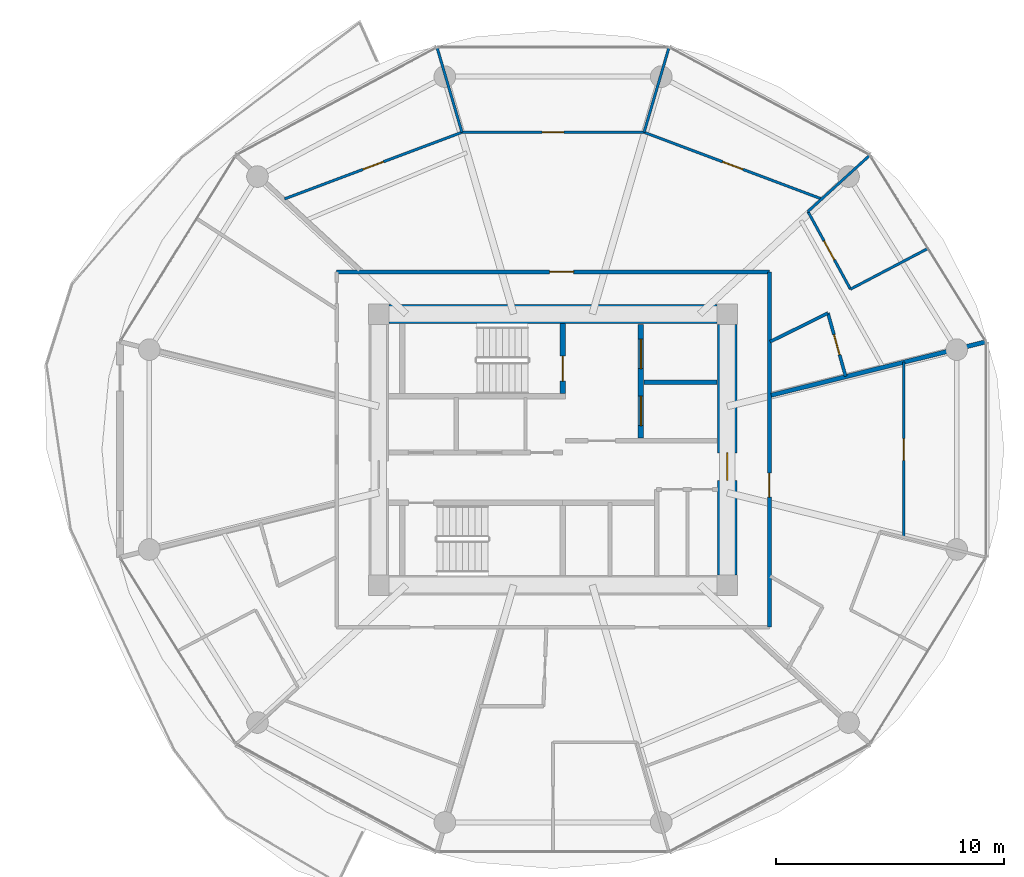
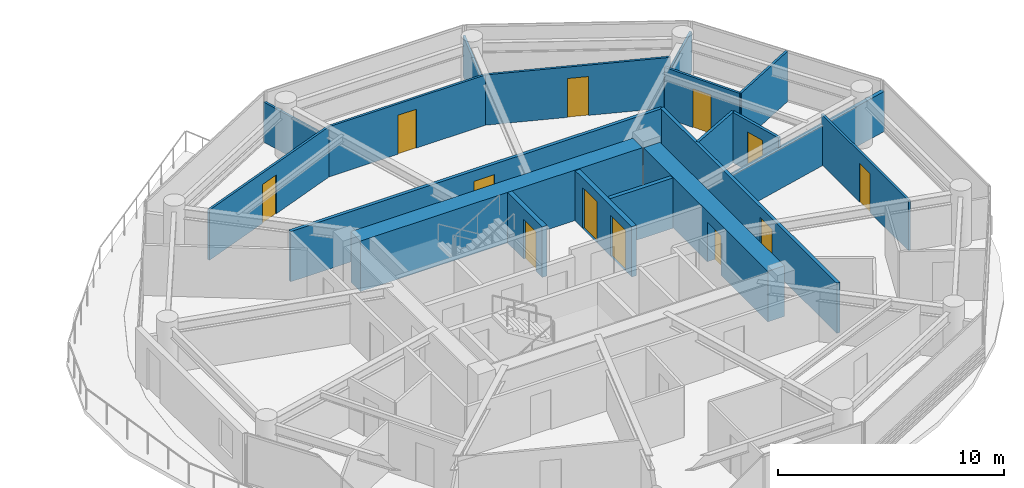
# One storey, part 20 of 26: 19 walls, 12 doors, 12 openings.
"""IFC4 building model written with IfcOpenShell, lengths in metres."""

from ifc_helpers import new_model, si_unit, direction, frame, frame_2d, origin, place, context, subcontext, project, spatial, rectangle, extrude, source, transform, mapped, material, layer, layer_set, type_object, type_shapes, element, fill, save


model = new_model("IFC4")

# Units and contexts
model_context = context("Model", 3, precision=1e-05, world=origin(), true_north=direction((0.0, 1.0)))
body_context = subcontext(model_context, "Body", "Model", "MODEL_VIEW")
ifc_project = project(units=[si_unit("LENGTHUNIT", "METRE"), si_unit("AREAUNIT", "SQUARE_METRE"), si_unit("VOLUMEUNIT", "CUBIC_METRE"), si_unit("PLANEANGLEUNIT", "RADIAN"), si_unit("MASSUNIT", "GRAM", prefix="KILO")], contexts=[model_context])

# Site, building, storey
site_placement = place(None, origin())
site = spatial("IfcSite", under=ifc_project, at=site_placement, CompositionType="ELEMENT")
building_placement = place(site_placement, origin())
building = spatial("IfcBuilding", under=site, at=building_placement, Name="Norrkilde Senior Care Towers", CompositionType="ELEMENT")
storey_placement = place(building_placement, frame((0.0, 0.0, 70.39990234375)))
storey = spatial("IfcBuildingStorey", under=building, at=storey_placement, Name="L21", CompositionType="ELEMENT", Elevation=70.39990234375)

# Wall
ifc_material_1 = material(Name="Concrete C60/75", Category="concrete")
ifc_layer_1 = layer(ifc_material_1, 0.85009765625)
ifc_layer_set_1 = layer_set([ifc_layer_1], Name="Concrete C60/75")
wall_type_1 = type_object("IfcWallType", Name="Core Shear Wall Z1 850", PredefinedType="SHEAR", material=ifc_layer_set_1)
shared_shape_1 = source(origin(), body_context, "Body", "SweptSolid", [
    extrude(rectangle(XDim=14.39990234375, YDim=0.85009765625, at=frame_2d((7.199951171875, 0.0))), origin(), (0.0, 0.0, 1.0), 2.72998046875),
])
wall_1_placement = place(storey_placement, frame((20.800048828125, 5.949951171875, 0.0), z_axis=(0.0, 0.0, 1.0), x_axis=(1.0, 0.0, 0.0)))
element("IfcWall", 1, at=wall_1_placement, inside=storey, type_object=wall_type_1, Name="L21 Core E North Shear Wall", PredefinedType="SHEAR", context=body_context, shape_type="MappedRepresentation", body=[
    mapped(shared_shape_1, transform((0.0, 0.0, 0.0), x_axis=(1.0, 0.0, 0.0), y_axis=(0.0, 1.0, 0.0), z_axis=(0.0, 0.0, 1.0), scale=1.0)),
])

# Wall, opening, door
shared_shape_2 = source(origin(), body_context, "Body", "SweptSolid", [
    extrude(rectangle(XDim=11.0, YDim=0.85009765625, at=frame_2d((5.5, 0.0))), origin(), (0.0, 0.0, 1.0), 2.72998046875),
])
type_shapes(wall_type_1, [shared_shape_1, shared_shape_2])
wall_2_placement = place(storey_placement, frame((35.64990234375, 5.5, 0.0), z_axis=(0.0, 0.0, 1.0), x_axis=(0.0, -1.0, 0.0)))
wall_2 = element("IfcWall", 2, at=wall_2_placement, inside=storey, type_object=wall_type_1, Name="L21 Core E East Shear Wall", PredefinedType="SHEAR", context=body_context, shape_type="MappedRepresentation", body=[
    mapped(shared_shape_2, transform((0.0, 0.0, 0.0), x_axis=(1.0, 0.0, 0.0), y_axis=(0.0, 1.0, 0.0), z_axis=(0.0, 0.0, 1.0), scale=1.0)),
])
opening_1_placement = place(wall_2_placement, frame((5.64990234375, 0.0, 0.0)))
opening_1 = element("IfcOpeningElement", 3, at=opening_1_placement, cuts=wall_2, Name="Opening D-04", PredefinedType="OPENING", context=body_context, shape_type="SweptSolid", body=[
    extrude(rectangle(XDim=1.199951171875, YDim=2.14990234375, at=frame_2d((0.60009765625, 1.074951171875))), frame((0.0, 0.43505859375, 0.0), z_axis=(0.0, -1.0, 0.0), x_axis=(1.0, 0.0, 0.0)), (0.0, 0.0, 1.0), 0.8701171875),
])
ifc_material_2 = material(Name="Galvanised Painted Steel", Category="steel")
door_type_1 = type_object("IfcDoorType", Name="Firefighting Lobby Fire Door 1200x2150", OperationType="NOTDEFINED", PredefinedType="DOOR", material=ifc_material_2)
shared_shape_3 = source(origin(), body_context, "Body", "SweptSolid", [
    extrude(rectangle(XDim=1.199951171875, YDim=2.14990234375, at=frame_2d((0.60009765625, 1.074951171875))), frame((0.0, 0.02490234375, 0.0), z_axis=(0.0, -1.0, 0.0), x_axis=(1.0, 0.0, 0.0)), (0.0, 0.0, 1.0), 0.050048828125),
])
type_shapes(door_type_1, [shared_shape_3])
door_1_placement = place(opening_1_placement, frame((1.199951171875, 0.0, 0.0), z_axis=(0.0, 0.0, 1.0), x_axis=(-1.0, 0.0, 0.0)))
door_1 = element("IfcDoor", 4, at=door_1_placement, inside=storey, type_object=door_type_1, Name="L21 Core E East Portal Door", OperationType="SINGLE_SWING_RIGHT", OverallHeight=2.14990234375, OverallWidth=1.199951171875, PredefinedType="DOOR", context=body_context, shape_type="MappedRepresentation", body=[
    mapped(shared_shape_3, transform((0.0, 0.0, 0.0), x_axis=(1.0, 0.0, 0.0), y_axis=(0.0, 1.0, 0.0), z_axis=(0.0, 0.0, 1.0), scale=1.0)),
])
fill(opening_1, door_1)

ifc_material_3 = material(Name="Concrete C45/55", Category="concrete")
ifc_layer_2 = layer(ifc_material_3, 0.239990234375)
ifc_layer_set_2 = layer_set([ifc_layer_2], Name="Concrete C45/55")
wall_type_2 = type_object("IfcWallType", Name="Shaft and Stair Enclosure Wall 240", PredefinedType="PARTITIONING", material=ifc_layer_set_2)
shared_shape_4 = source(origin(), body_context, "Body", "SweptSolid", [
    extrude(rectangle(XDim=3.074951171875, YDim=0.239990234375, at=frame_2d((1.53759765625, 0.0))), origin(), (0.0, 0.0, 1.0), 2.72998046875),
])
type_shapes(wall_type_2, [shared_shape_4])
wall_3_placement = place(storey_placement, frame((28.419921875, 2.449951171875, 0.0), z_axis=(0.0, 0.0, 1.0), x_axis=(0.0, 1.0, 0.0)))
wall_3 = element("IfcWall", 5, at=wall_3_placement, inside=storey, type_object=wall_type_2, Name="WL-INT-L21-E-ST1E", PredefinedType="PARTITIONING", context=body_context, shape_type="MappedRepresentation", body=[
    mapped(shared_shape_4, transform((0.0, 0.0, 0.0), x_axis=(1.0, 0.0, 0.0), y_axis=(0.0, 1.0, 0.0), z_axis=(0.0, 0.0, 1.0), scale=1.0)),
])
opening_2_placement = place(wall_3_placement, frame((0.550048828125, 0.0, 0.0)))
opening_2 = element("IfcOpeningElement", 6, at=opening_2_placement, cuts=wall_3, Name="Opening D-03", PredefinedType="OPENING", context=body_context, shape_type="SweptSolid", body=[
    extrude(rectangle(XDim=1.10009765625, YDim=2.14990234375, at=frame_2d((0.550048828125, 1.074951171875))), frame((0.0, 0.1298828125, 0.0), z_axis=(0.0, -1.0, 0.0), x_axis=(1.0, 0.0, 0.0)), (0.0, 0.0, 1.0), 0.260009765625),
])
door_type_2 = type_object("IfcDoorType", Name="Stairwell Protected Fire Door 1100x2150", OperationType="NOTDEFINED", PredefinedType="DOOR", material=ifc_material_2)
shared_shape_5 = source(origin(), body_context, "Body", "SweptSolid", [
    extrude(rectangle(XDim=1.10009765625, YDim=2.14990234375, at=frame_2d((0.550048828125, 1.074951171875))), frame((0.0, 0.02490234375, 0.0), z_axis=(0.0, -1.0, 0.0), x_axis=(1.0, 0.0, 0.0)), (0.0, 0.0, 1.0), 0.050048828125),
])
type_shapes(door_type_2, [shared_shape_5])
door_2_placement = place(opening_2_placement, origin())
door_2 = element("IfcDoor", 7, at=door_2_placement, inside=storey, type_object=door_type_2, Name="L21 Stair E1 Fire Door", OperationType="SINGLE_SWING_LEFT", OverallHeight=2.14990234375, OverallWidth=1.10009765625, PredefinedType="DOOR", context=body_context, shape_type="MappedRepresentation", body=[
    mapped(shared_shape_5, transform((0.0, 0.0, 0.0), x_axis=(1.0, 0.0, 0.0), y_axis=(0.0, 1.0, 0.0), z_axis=(0.0, 0.0, 1.0), scale=1.0)),
])
fill(opening_2, door_2)

# Wall, openings, doors
ifc_layer_3 = layer(ifc_material_3, 0.239990234375)
ifc_layer_set_3 = layer_set([ifc_layer_3], Name="Concrete C45/55")
wall_type_3 = type_object("IfcWallType", Name="Lift and Plant Rated Enclosure Partition 240", PredefinedType="PARTITIONING", material=ifc_layer_set_3)
shared_shape_6 = source(origin(), body_context, "Body", "SweptSolid", [
    extrude(rectangle(XDim=5.0, YDim=0.239990234375, at=frame_2d((2.5, 0.0))), origin(), (0.0, 0.0, 1.0), 2.715087890625),
])
type_shapes(wall_type_3, [shared_shape_6])
wall_4_placement = place(storey_placement, frame((31.860107421875, 0.5, 0.0), z_axis=(0.0, 0.0, 1.0), x_axis=(0.0, 1.0, 0.0)))
wall_4 = element("IfcWall", 8, at=wall_4_placement, inside=storey, type_object=wall_type_3, Name="WL-INT-L21-E-FFLE", PredefinedType="PARTITIONING", context=body_context, shape_type="MappedRepresentation", body=[
    mapped(shared_shape_6, transform((0.0, 0.0, 0.0), x_axis=(1.0, 0.0, 0.0), y_axis=(0.0, 1.0, 0.0), z_axis=(0.0, 0.0, 1.0), scale=1.0)),
])
opening_3_placement = place(wall_4_placement, frame((3.050048828125, 0.0, 0.0)))
opening_3 = element("IfcOpeningElement", 9, at=opening_3_placement, cuts=wall_4, Name="Opening LD-02", PredefinedType="OPENING", context=body_context, shape_type="SweptSolid", body=[
    extrude(rectangle(XDim=1.300048828125, YDim=2.199951171875, at=frame_2d((0.64990234375, 1.10009765625))), frame((0.0, 0.1298828125, 0.0), z_axis=(0.0, -1.0, 0.0), x_axis=(1.0, 0.0, 0.0)), (0.0, 0.0, 1.0), 0.260009765625),
])
opening_4_placement = place(wall_4_placement, frame((0.550048828125, 0.0, 0.0)))
opening_4 = element("IfcOpeningElement", 10, at=opening_4_placement, cuts=wall_4, Name="Opening LD-02", PredefinedType="OPENING", context=body_context, shape_type="SweptSolid", body=[
    extrude(rectangle(XDim=1.300048828125, YDim=2.199951171875, at=frame_2d((0.64990234375, 1.10009765625))), frame((0.0, 0.1298828125, 0.0), z_axis=(0.0, -1.0, 0.0), x_axis=(1.0, 0.0, 0.0)), (0.0, 0.0, 1.0), 0.260009765625),
])
ifc_material_4 = material(Name="Stainless Steel", Category="steel")
door_type_3 = type_object("IfcDoorType", Name="Stretcher and FFL Landing Sliding Door 1300x2200", OperationType="NOTDEFINED", PredefinedType="DOOR", material=ifc_material_4)
shared_shape_7 = source(origin(), body_context, "Body", "SweptSolid", [
    extrude(rectangle(XDim=1.300048828125, YDim=2.199951171875, at=frame_2d((0.64990234375, 1.10009765625))), frame((0.0, 0.02490234375, 0.0), z_axis=(0.0, -1.0, 0.0), x_axis=(1.0, 0.0, 0.0)), (0.0, 0.0, 1.0), 0.050048828125),
])
type_shapes(door_type_3, [shared_shape_7])
door_3_placement = place(opening_3_placement, origin())
door_3 = element("IfcDoor", 11, at=door_3_placement, inside=storey, type_object=door_type_3, Name="L21 Firefighting Lift E1 Landing Door", OperationType="SLIDING_TO_LEFT", OverallHeight=2.199951171875, OverallWidth=1.300048828125, PredefinedType="DOOR", context=body_context, shape_type="MappedRepresentation", body=[
    mapped(shared_shape_7, transform((0.0, 0.0, 0.0), x_axis=(1.0, 0.0, 0.0), y_axis=(0.0, 1.0, 0.0), z_axis=(0.0, 0.0, 1.0), scale=1.0)),
])
fill(opening_3, door_3)
door_4_placement = place(opening_4_placement, origin())
door_4 = element("IfcDoor", 12, at=door_4_placement, inside=storey, type_object=door_type_3, Name="L21 Stretcher Lift E1 Landing Door", OperationType="SLIDING_TO_RIGHT", OverallHeight=2.199951171875, OverallWidth=1.300048828125, PredefinedType="DOOR", context=body_context, shape_type="MappedRepresentation", body=[
    mapped(shared_shape_7, transform((0.0, 0.0, 0.0), x_axis=(1.0, 0.0, 0.0), y_axis=(0.0, 1.0, 0.0), z_axis=(0.0, 0.0, 1.0), scale=1.0)),
])
fill(opening_4, door_4)

# Wall
ifc_layer_4 = layer(ifc_material_3, 0.199951171875)
ifc_layer_set_4 = layer_set([ifc_layer_4], Name="Concrete C45/55")
wall_type_4 = type_object("IfcWallType", Name="Shaft Division and Plant Partition 200", PredefinedType="PARTITIONING", material=ifc_layer_set_4)
shared_shape_8 = source(origin(), body_context, "Body", "SweptSolid", [
    extrude(rectangle(XDim=3.199951171875, YDim=0.199951171875, at=frame_2d((1.60009765625, 0.0))), origin(), (0.0, 0.0, 1.0), 2.715087890625),
])
type_shapes(wall_type_4, [shared_shape_8])
wall_5_placement = place(storey_placement, frame((32.0, 2.949951171875, 0.0), z_axis=(0.0, 0.0, 1.0), x_axis=(1.0, 0.0, 0.0)))
element("IfcWall", 13, at=wall_5_placement, inside=storey, type_object=wall_type_4, Name="WL-INT-L21-E-FFLDIV", PredefinedType="PARTITIONING", context=body_context, shape_type="MappedRepresentation", body=[
    mapped(shared_shape_8, transform((0.0, 0.0, 0.0), x_axis=(1.0, 0.0, 0.0), y_axis=(0.0, 1.0, 0.0), z_axis=(0.0, 0.0, 1.0), scale=1.0)),
])

# Wall, opening, door
ifc_material_5 = material(Name="Gypsum Acoustic Board")
ifc_layer_5 = layer(ifc_material_5, 0.1650390625)
ifc_layer_set_5 = layer_set([ifc_layer_5], Name="Gypsum Acoustic Board")
wall_type_5 = type_object("IfcWallType", Name="Corridor Rated Partition 165", PredefinedType="PARTITIONING", material=ifc_layer_set_5)
shared_shape_9 = source(origin(), body_context, "Body", "SweptSolid", [
    extrude(rectangle(XDim=19.0, YDim=0.1650390625, at=frame_2d((9.5, 0.0))), origin(), (0.0, 0.0, 1.0), 2.715087890625),
])
wall_6_placement = place(storey_placement, frame((18.5, 7.800048828125, 0.0), z_axis=(0.0, 0.0, 1.0), x_axis=(1.0, 0.0, 0.0)))
wall_6 = element("IfcWall", 14, at=wall_6_placement, inside=storey, type_object=wall_type_5, Name="WL-INT-L21-E-CRW-N-0", PredefinedType="PARTITIONING", context=body_context, shape_type="MappedRepresentation", body=[
    mapped(shared_shape_9, transform((0.0, 0.0, 0.0), x_axis=(1.0, 0.0, 0.0), y_axis=(0.0, 1.0, 0.0), z_axis=(0.0, 0.0, 1.0), scale=1.0)),
])
opening_5_placement = place(wall_6_placement, frame((9.350341796875, 0.0, 0.0)))
opening_5 = element("IfcOpeningElement", 15, at=opening_5_placement, cuts=wall_6, Name="Opening D-06", PredefinedType="OPENING", context=body_context, shape_type="SweptSolid", body=[
    extrude(rectangle(XDim=1.050048828125, YDim=2.14990234375, at=frame_2d((0.52490234375, 1.074951171875))), frame((0.0, 0.092529296875, 0.0), z_axis=(0.0, -1.0, 0.0), x_axis=(1.0, 0.0, 0.0)), (0.0, 0.0, 1.0), 0.18505859375),
])
ifc_material_6 = material(Name="Nordic Ash Timber", Category="wood")
door_type_4 = type_object("IfcDoorType", Name="Apartment Entrance Fire Door 1050x2150", OperationType="NOTDEFINED", PredefinedType="DOOR", material=ifc_material_6)
shared_shape_10 = source(origin(), body_context, "Body", "SweptSolid", [
    extrude(rectangle(XDim=1.050048828125, YDim=2.14990234375, at=frame_2d((0.52490234375, 1.074951171875))), frame((0.0, 0.02490234375, 0.0), z_axis=(0.0, -1.0, 0.0), x_axis=(1.0, 0.0, 0.0)), (0.0, 0.0, 1.0), 0.050048828125),
])
type_shapes(door_type_4, [shared_shape_10])
door_5_placement = place(opening_5_placement, frame((1.050048828125, 0.0, 0.0), z_axis=(0.0, 0.0, 1.0), x_axis=(-1.0, 0.0, 0.0)))
door_5 = element("IfcDoor", 16, at=door_5_placement, inside=storey, type_object=door_type_4, Name="Apartment 21D Entrance Door", OperationType="SINGLE_SWING_LEFT", OverallHeight=2.14990234375, OverallWidth=1.050048828125, PredefinedType="DOOR", context=body_context, shape_type="MappedRepresentation", body=[
    mapped(shared_shape_10, transform((0.0, 0.0, 0.0), x_axis=(1.0, 0.0, 0.0), y_axis=(0.0, 1.0, 0.0), z_axis=(0.0, 0.0, 1.0), scale=1.0)),
])
fill(opening_5, door_5)

shared_shape_11 = source(origin(), body_context, "Body", "SweptSolid", [
    extrude(rectangle(XDim=15.60009765625, YDim=0.1650390625, at=frame_2d((7.800048828125, 0.0))), origin(), (0.0, 0.0, 1.0), 2.715087890625),
])
type_shapes(wall_type_5, [shared_shape_9, shared_shape_11])
wall_7_placement = place(storey_placement, frame((37.5, 7.800048828125, 0.0), z_axis=(0.0, 0.0, 1.0), x_axis=(0.0, -1.0, 0.0)))
wall_7 = element("IfcWall", 17, at=wall_7_placement, inside=storey, type_object=wall_type_5, Name="WL-INT-L21-E-CRW-E-0", PredefinedType="PARTITIONING", context=body_context, shape_type="MappedRepresentation", body=[
    mapped(shared_shape_11, transform((0.0, 0.0, 0.0), x_axis=(1.0, 0.0, 0.0), y_axis=(0.0, 1.0, 0.0), z_axis=(0.0, 0.0, 1.0), scale=1.0)),
])
opening_6_placement = place(wall_7_placement, frame((8.834716796875, 0.0, 0.0)))
opening_6 = element("IfcOpeningElement", 18, at=opening_6_placement, cuts=wall_7, Name="Opening D-06", PredefinedType="OPENING", context=body_context, shape_type="SweptSolid", body=[
    extrude(rectangle(XDim=1.050048828125, YDim=2.14990234375, at=frame_2d((0.52490234375, 1.074951171875))), frame((0.0, 0.092529296875, 0.0), z_axis=(0.0, -1.0, 0.0), x_axis=(1.0, 0.0, 0.0)), (0.0, 0.0, 1.0), 0.18505859375),
])
door_6_placement = place(opening_6_placement, frame((1.050048828125, 0.0, 0.0), z_axis=(0.0, 0.0, 1.0), x_axis=(-1.0, 0.0, 0.0)))
door_6 = element("IfcDoor", 19, at=door_6_placement, inside=storey, type_object=door_type_4, Name="Apartment 21C Entrance Door", OperationType="SINGLE_SWING_LEFT", OverallHeight=2.14990234375, OverallWidth=1.050048828125, PredefinedType="DOOR", context=body_context, shape_type="MappedRepresentation", body=[
    mapped(shared_shape_10, transform((0.0, 0.0, 0.0), x_axis=(1.0, 0.0, 0.0), y_axis=(0.0, 1.0, 0.0), z_axis=(0.0, 0.0, 1.0), scale=1.0)),
])
fill(opening_6, door_6)

# Wall
ifc_layer_6 = layer(ifc_material_5, 0.18994140625)
ifc_layer_set_6 = layer_set([ifc_layer_6], Name="Gypsum Acoustic Board")
wall_type_6 = type_object("IfcWallType", Name="Unit Demising Acoustic Wall 190", PredefinedType="PARTITIONING", material=ifc_layer_set_6)
shared_shape_12 = source(origin(), body_context, "Body", "SweptSolid", [
    extrude(rectangle(XDim=9.737060546875, YDim=0.18994140625, at=frame_2d((4.86865234375, 0.0))), origin(), (0.0, 0.0, 1.0), 2.1650390625),
])
type_shapes(wall_type_6, [shared_shape_12])
wall_8_placement = place(storey_placement, frame((37.580078125, 2.384521484375, 0.0), z_axis=(0.0, 0.0, 1.0), x_axis=(0.970392716238, 0.241532557375, 0.0)))
element("IfcWall", 20, at=wall_8_placement, inside=storey, type_object=wall_type_6, Name="WL-INT-L21-E-DEM-00-0", PredefinedType="PARTITIONING", context=body_context, shape_type="MappedRepresentation", body=[
    mapped(shared_shape_12, transform((0.0, 0.0, 0.0), x_axis=(1.0, 0.0, 0.0), y_axis=(0.0, 1.0, 0.0), z_axis=(0.0, 0.0, 1.0), scale=1.0)),
])

# Wall, opening, door
ifc_layer_7 = layer(ifc_material_5, 0.114990234375)
ifc_layer_set_7 = layer_set([ifc_layer_7], Name="Gypsum Acoustic Board")
wall_type_7 = type_object("IfcWallType", Name="Internal Room Partition 115", PredefinedType="PARTITIONING", material=ifc_layer_set_7)
shared_shape_13 = source(origin(), body_context, "Body", "SweptSolid", [
    extrude(rectangle(XDim=8.31982421875, YDim=0.114990234375, at=frame_2d((4.159912109375, 0.0))), origin(), (0.0, 0.0, 1.0), 2.715087890625),
])
wall_9_placement = place(storey_placement, frame((39.7861328125, 11.005615234375, 0.0), z_axis=(0.0, 0.0, 1.0), x_axis=(-0.936180763098, 0.351518959382, 0.0)))
wall_9 = element("IfcWall", 21, at=wall_9_placement, inside=storey, type_object=wall_type_7, Name="WL-INT-L21-E-UBC-00-1", PredefinedType="PARTITIONING", context=body_context, shape_type="MappedRepresentation", body=[
    mapped(shared_shape_13, transform((0.0, 0.0, 0.0), x_axis=(1.0, 0.0, 0.0), y_axis=(0.0, 1.0, 0.0), z_axis=(0.0, 0.0, 1.0), scale=1.0)),
])
opening_7_placement = place(wall_9_placement, frame((3.684814453125, 0.0, 0.0)))
opening_7 = element("IfcOpeningElement", 22, at=opening_7_placement, cuts=wall_9, Name="Opening D-07", PredefinedType="OPENING", context=body_context, shape_type="SweptSolid", body=[
    extrude(rectangle(XDim=0.949951171875, YDim=2.10009765625, at=frame_2d((0.47509765625, 1.050048828125))), frame((0.0, 0.0673828125, 0.0), z_axis=(0.0, -1.0, 0.0), x_axis=(1.0, 0.0, 0.0)), (0.0, 0.0, 1.0), 0.135009765625),
])
door_type_5 = type_object("IfcDoorType", Name="Internal Suite Bedroom Door 950x2100", OperationType="NOTDEFINED", PredefinedType="DOOR", material=ifc_material_6)
shared_shape_14 = source(origin(), body_context, "Body", "SweptSolid", [
    extrude(rectangle(XDim=0.949951171875, YDim=2.10009765625, at=frame_2d((0.47509765625, 1.050048828125))), frame((0.0, 0.02490234375, 0.0), z_axis=(0.0, -1.0, 0.0), x_axis=(1.0, 0.0, 0.0)), (0.0, 0.0, 1.0), 0.050048828125),
])
type_shapes(door_type_5, [shared_shape_14])
door_7_placement = place(opening_7_placement, origin())
door_7 = element("IfcDoor", 23, at=door_7_placement, inside=storey, type_object=door_type_5, Name="Apartment 21D Bedroom 1 Door", OperationType="SINGLE_SWING_RIGHT", OverallHeight=2.10009765625, OverallWidth=0.949951171875, PredefinedType="DOOR", context=body_context, shape_type="MappedRepresentation", body=[
    mapped(shared_shape_14, transform((0.0, 0.0, 0.0), x_axis=(1.0, 0.0, 0.0), y_axis=(0.0, 1.0, 0.0), z_axis=(0.0, 0.0, 1.0), scale=1.0)),
])
fill(opening_7, door_7)

wall_10_placement = place(storey_placement, frame((24.002685546875, 13.93017578125, 0.0), z_axis=(0.0, 0.0, 1.0), x_axis=(-0.936180763098, -0.351518959382, 0.0)))
wall_10 = element("IfcWall", 24, at=wall_10_placement, inside=storey, type_object=wall_type_7, Name="WL-INT-L21-E-UBC-00-3", PredefinedType="PARTITIONING", context=body_context, shape_type="MappedRepresentation", body=[
    mapped(shared_shape_13, transform((0.0, 0.0, 0.0), x_axis=(1.0, 0.0, 0.0), y_axis=(0.0, 1.0, 0.0), z_axis=(0.0, 0.0, 1.0), scale=1.0)),
])
opening_8_placement = place(wall_10_placement, frame((3.684814453125, 0.0, 0.0)))
opening_8 = element("IfcOpeningElement", 25, at=opening_8_placement, cuts=wall_10, Name="Opening D-07", PredefinedType="OPENING", context=body_context, shape_type="SweptSolid", body=[
    extrude(rectangle(XDim=0.949951171875, YDim=2.10009765625, at=frame_2d((0.47509765625, 1.050048828125))), frame((0.0, 0.0673828125, 0.0), z_axis=(0.0, -1.0, 0.0), x_axis=(1.0, 0.0, 0.0)), (0.0, 0.0, 1.0), 0.135009765625),
])
door_8_placement = place(opening_8_placement, origin())
door_8 = element("IfcDoor", 26, at=door_8_placement, inside=storey, type_object=door_type_5, Name="Apartment 21D Bedroom 3 Door", OperationType="SINGLE_SWING_RIGHT", OverallHeight=2.10009765625, OverallWidth=0.949951171875, PredefinedType="DOOR", context=body_context, shape_type="MappedRepresentation", body=[
    mapped(shared_shape_14, transform((0.0, 0.0, 0.0), x_axis=(1.0, 0.0, 0.0), y_axis=(0.0, 1.0, 0.0), z_axis=(0.0, 0.0, 1.0), scale=1.0)),
])
fill(opening_8, door_8)

# Walls
shared_shape_15 = source(origin(), body_context, "Body", "SweptSolid", [
    extrude(rectangle(XDim=3.712890625, YDim=0.114990234375, at=frame_2d((1.8564453125, 0.0))), origin(), (0.0, 0.0, 1.0), 2.1650390625),
])
wall_11_placement = place(storey_placement, frame((39.182861328125, 10.442138671875, 0.0), z_axis=(0.0, 0.0, 1.0), x_axis=(0.739877587881, 0.67274152165, 0.0)))
element("IfcWall", 27, at=wall_11_placement, inside=storey, type_object=wall_type_7, Name="WL-INT-L21-E-UBR-00-1", PredefinedType="PARTITIONING", context=body_context, shape_type="MappedRepresentation", body=[
    mapped(shared_shape_15, transform((0.0, 0.0, 0.0), x_axis=(1.0, 0.0, 0.0), y_axis=(0.0, 1.0, 0.0), z_axis=(0.0, 0.0, 1.0), scale=1.0)),
])
ifc_layer_8 = layer(ifc_material_5, 0.139892578125)
ifc_layer_set_8 = layer_set([ifc_layer_8], Name="Gypsum Acoustic Board")
wall_type_8 = type_object("IfcWallType", Name="En-suite Wet Room Wall 140", PredefinedType="PARTITIONING", material=ifc_layer_set_8)
shared_shape_16 = source(origin(), body_context, "Body", "SweptSolid", [
    extrude(rectangle(XDim=2.83447265625, YDim=0.139892578125, at=frame_2d((1.417236328125, 0.0))), origin(), (0.0, 0.0, 1.0), 2.715087890625),
])
wall_12_placement = place(storey_placement, frame((37.530029296875, 4.731689453125, 0.0), z_axis=(0.0, 0.0, 1.0), x_axis=(0.895681174462, 0.444696788513, 0.0)))
element("IfcWall", 28, at=wall_12_placement, inside=storey, type_object=wall_type_8, Name="WL-INT-L21-E-UBTS-00", PredefinedType="PARTITIONING", context=body_context, shape_type="MappedRepresentation", body=[
    mapped(shared_shape_16, transform((0.0, 0.0, 0.0), x_axis=(1.0, 0.0, 0.0), y_axis=(0.0, 1.0, 0.0), z_axis=(0.0, 0.0, 1.0), scale=1.0)),
])

# Wall, opening, door
shared_shape_17 = source(origin(), body_context, "Body", "SweptSolid", [
    extrude(rectangle(XDim=2.884765625, YDim=0.139892578125, at=frame_2d((1.4423828125, 0.0))), origin(), (0.0, 0.0, 1.0), 2.715087890625),
])
type_shapes(wall_type_8, [shared_shape_16, shared_shape_17])
wall_13_placement = place(storey_placement, frame((40.06884765625, 5.9921875, 0.0), z_axis=(0.0, 0.0, 1.0), x_axis=(0.269799431837, -0.962916541856, 0.0)))
wall_13 = element("IfcWall", 29, at=wall_13_placement, inside=storey, type_object=wall_type_8, Name="WL-INT-L21-E-UBTF-00", PredefinedType="PARTITIONING", context=body_context, shape_type="MappedRepresentation", body=[
    mapped(shared_shape_17, transform((0.0, 0.0, 0.0), x_axis=(1.0, 0.0, 0.0), y_axis=(0.0, 1.0, 0.0), z_axis=(0.0, 0.0, 1.0), scale=1.0)),
])
opening_9_placement = place(wall_13_placement, frame((0.982421875, 0.0, 0.0)))
opening_9 = element("IfcOpeningElement", 30, at=opening_9_placement, cuts=wall_13, Name="Opening D-08", PredefinedType="OPENING", context=body_context, shape_type="SweptSolid", body=[
    extrude(rectangle(XDim=0.919921875, YDim=2.10009765625, at=frame_2d((0.4599609375, 1.050048828125))), frame((0.0, 0.079833984375, 0.0), z_axis=(0.0, -1.0, 0.0), x_axis=(1.0, 0.0, 0.0)), (0.0, 0.0, 1.0), 0.159912109375),
])
door_type_6 = type_object("IfcDoorType", Name="Accessible Wet Room Door 920x2100", OperationType="NOTDEFINED", PredefinedType="DOOR", material=ifc_material_6)
shared_shape_18 = source(origin(), body_context, "Body", "SweptSolid", [
    extrude(rectangle(XDim=0.919921875, YDim=2.10009765625, at=frame_2d((0.4599609375, 1.050048828125))), frame((0.0, 0.02490234375, 0.0), z_axis=(0.0, -1.0, 0.0), x_axis=(1.0, 0.0, 0.0)), (0.0, 0.0, 1.0), 0.050048828125),
])
type_shapes(door_type_6, [shared_shape_18])
door_9_placement = place(opening_9_placement, origin())
door_9 = element("IfcDoor", 31, at=door_9_placement, inside=storey, type_object=door_type_6, Name="Apartment 21D Bathroom Door", OperationType="SINGLE_SWING_RIGHT", OverallHeight=2.10009765625, OverallWidth=0.919921875, PredefinedType="DOOR", context=body_context, shape_type="MappedRepresentation", body=[
    mapped(shared_shape_18, transform((0.0, 0.0, 0.0), x_axis=(1.0, 0.0, 0.0), y_axis=(0.0, 1.0, 0.0), z_axis=(0.0, 0.0, 1.0), scale=1.0)),
])
fill(opening_9, door_9)

# Wall
shared_shape_19 = source(origin(), body_context, "Body", "SweptSolid", [
    extrude(rectangle(XDim=3.863525390625, YDim=0.114990234375, at=frame_2d((1.931640625, 0.0))), origin(), (0.0, 0.0, 1.0), 2.715087890625),
])
wall_14_placement = place(storey_placement, frame((41.0595703125, 7.040771484375, 0.0), z_axis=(0.0, 0.0, 1.0), x_axis=(0.885194959803, 0.465220252289, 0.0)))
element("IfcWall", 32, at=wall_14_placement, inside=storey, type_object=wall_type_7, Name="WL-INT-L21-E-UKTS-00", PredefinedType="PARTITIONING", context=body_context, shape_type="MappedRepresentation", body=[
    mapped(shared_shape_19, transform((0.0, 0.0, 0.0), x_axis=(1.0, 0.0, 0.0), y_axis=(0.0, 1.0, 0.0), z_axis=(0.0, 0.0, 1.0), scale=1.0)),
])

# Wall, opening, door
shared_shape_20 = source(origin(), body_context, "Body", "SweptSolid", [
    extrude(rectangle(XDim=3.887939453125, YDim=0.114990234375, at=frame_2d((1.94384765625, 0.0))), origin(), (0.0, 0.0, 1.0), 2.715087890625),
])
wall_15_placement = place(storey_placement, frame((41.0595703125, 7.040771484375, 0.0), z_axis=(0.0, 0.0, 1.0), x_axis=(-0.480382482853, 0.877059103007, 0.0)))
wall_15 = element("IfcWall", 33, at=wall_15_placement, inside=storey, type_object=wall_type_7, Name="WL-INT-L21-E-UKTF-00", PredefinedType="PARTITIONING", context=body_context, shape_type="MappedRepresentation", body=[
    mapped(shared_shape_20, transform((0.0, 0.0, 0.0), x_axis=(1.0, 0.0, 0.0), y_axis=(0.0, 1.0, 0.0), z_axis=(0.0, 0.0, 1.0), scale=1.0)),
])
opening_10_placement = place(wall_15_placement, frame((1.468994140625, 0.0, 0.0)))
opening_10 = element("IfcOpeningElement", 34, at=opening_10_placement, cuts=wall_15, Name="Opening D-07", PredefinedType="OPENING", context=body_context, shape_type="SweptSolid", body=[
    extrude(rectangle(XDim=0.949951171875, YDim=2.10009765625, at=frame_2d((0.47509765625, 1.050048828125))), frame((0.0, 0.0673828125, 0.0), z_axis=(0.0, -1.0, 0.0), x_axis=(1.0, 0.0, 0.0)), (0.0, 0.0, 1.0), 0.135009765625),
])
door_10_placement = place(opening_10_placement, frame((0.949951171875, 0.0, 0.0), z_axis=(0.0, 0.0, 1.0), x_axis=(-1.0, 0.0, 0.0)))
door_10 = element("IfcDoor", 35, at=door_10_placement, inside=storey, type_object=door_type_5, Name="Apartment 21D Kitchen Door", OperationType="SINGLE_SWING_LEFT", OverallHeight=2.10009765625, OverallWidth=0.949951171875, PredefinedType="DOOR", context=body_context, shape_type="MappedRepresentation", body=[
    mapped(shared_shape_14, transform((0.0, 0.0, 0.0), x_axis=(1.0, 0.0, 0.0), y_axis=(0.0, 1.0, 0.0), z_axis=(0.0, 0.0, 1.0), scale=1.0)),
])
fill(opening_10, door_10)

shared_shape_21 = source(origin(), body_context, "Body", "SweptSolid", [
    extrude(rectangle(XDim=7.70947265625, YDim=0.114990234375, at=frame_2d((3.854736328125, 0.0))), origin(), (0.0, 0.0, 1.0), 2.715087890625),
])
wall_16_placement = place(storey_placement, frame((43.40625, -3.854736328125, 0.0), z_axis=(0.0, 0.0, 1.0), x_axis=(0.0, 1.0, 0.0)))
wall_16 = element("IfcWall", 36, at=wall_16_placement, inside=storey, type_object=wall_type_7, Name="WL-INT-L21-E-UBC-10-1", PredefinedType="PARTITIONING", context=body_context, shape_type="MappedRepresentation", body=[
    mapped(shared_shape_21, transform((0.0, 0.0, 0.0), x_axis=(1.0, 0.0, 0.0), y_axis=(0.0, 1.0, 0.0), z_axis=(0.0, 0.0, 1.0), scale=1.0)),
])
opening_11_placement = place(wall_16_placement, frame((3.379638671875, 0.0, 0.0)))
opening_11 = element("IfcOpeningElement", 37, at=opening_11_placement, cuts=wall_16, Name="Opening D-07", PredefinedType="OPENING", context=body_context, shape_type="SweptSolid", body=[
    extrude(rectangle(XDim=0.949951171875, YDim=2.10009765625, at=frame_2d((0.47509765625, 1.050048828125))), frame((0.0, 0.0673828125, 0.0), z_axis=(0.0, -1.0, 0.0), x_axis=(1.0, 0.0, 0.0)), (0.0, 0.0, 1.0), 0.135009765625),
])
door_11_placement = place(opening_11_placement, origin())
door_11 = element("IfcDoor", 38, at=door_11_placement, inside=storey, type_object=door_type_5, Name="Apartment 21C Bedroom 1 Door", OperationType="SINGLE_SWING_RIGHT", OverallHeight=2.10009765625, OverallWidth=0.949951171875, PredefinedType="DOOR", context=body_context, shape_type="MappedRepresentation", body=[
    mapped(shared_shape_14, transform((0.0, 0.0, 0.0), x_axis=(1.0, 0.0, 0.0), y_axis=(0.0, 1.0, 0.0), z_axis=(0.0, 0.0, 1.0), scale=1.0)),
])
fill(opening_11, door_11)

shared_shape_22 = source(origin(), body_context, "Body", "SweptSolid", [
    extrude(rectangle(XDim=7.99267578125, YDim=0.114990234375, at=frame_2d((3.996337890625, 0.0))), origin(), (0.0, 0.0, 1.0), 2.715087890625),
])
wall_17_placement = place(storey_placement, frame((31.996337890625, 13.927001953125, 0.0), z_axis=(0.0, 0.0, 1.0), x_axis=(-1.0, 0.0, 0.0)))
wall_17 = element("IfcWall", 39, at=wall_17_placement, inside=storey, type_object=wall_type_7, Name="WL-INT-L21-E-UBC-00-2", PredefinedType="PARTITIONING", context=body_context, shape_type="MappedRepresentation", body=[
    mapped(shared_shape_22, transform((0.0, 0.0, 0.0), x_axis=(1.0, 0.0, 0.0), y_axis=(0.0, 1.0, 0.0), z_axis=(0.0, 0.0, 1.0), scale=1.0)),
])
opening_12_placement = place(wall_17_placement, frame((3.521484375, 0.0, 0.0)))
opening_12 = element("IfcOpeningElement", 40, at=opening_12_placement, cuts=wall_17, Name="Opening D-07", PredefinedType="OPENING", context=body_context, shape_type="SweptSolid", body=[
    extrude(rectangle(XDim=0.949951171875, YDim=2.10009765625, at=frame_2d((0.47509765625, 1.050048828125))), frame((0.0, 0.0673828125, 0.0), z_axis=(0.0, -1.0, 0.0), x_axis=(1.0, 0.0, 0.0)), (0.0, 0.0, 1.0), 0.135009765625),
])
door_12_placement = place(opening_12_placement, frame((0.949951171875, 0.0, 0.0), z_axis=(0.0, 0.0, 1.0), x_axis=(-1.0, 0.0, 0.0)))
door_12 = element("IfcDoor", 41, at=door_12_placement, inside=storey, type_object=door_type_5, Name="Apartment 21D Bedroom 2 Door", OperationType="SINGLE_SWING_LEFT", OverallHeight=2.10009765625, OverallWidth=0.949951171875, PredefinedType="DOOR", context=body_context, shape_type="MappedRepresentation", body=[
    mapped(shared_shape_14, transform((0.0, 0.0, 0.0), x_axis=(1.0, 0.0, 0.0), y_axis=(0.0, 1.0, 0.0), z_axis=(0.0, 0.0, 1.0), scale=1.0)),
])
fill(opening_12, door_12)

# Walls
shared_shape_23 = source(origin(), body_context, "Body", "SweptSolid", [
    extrude(rectangle(XDim=3.908203125, YDim=0.114990234375, at=frame_2d((1.9541015625, 0.0))), origin(), (0.0, 0.0, 1.0), 2.1650390625),
])
wall_18_placement = place(storey_placement, frame((31.996337890625, 13.927001953125, 0.0), z_axis=(0.0, 0.0, 1.0), x_axis=(0.282047948883, 0.959400309845, 0.0)))
element("IfcWall", 42, at=wall_18_placement, inside=storey, type_object=wall_type_7, Name="WL-INT-L21-E-UBR-00-2", PredefinedType="PARTITIONING", context=body_context, shape_type="MappedRepresentation", body=[
    mapped(shared_shape_23, transform((0.0, 0.0, 0.0), x_axis=(1.0, 0.0, 0.0), y_axis=(0.0, 1.0, 0.0), z_axis=(0.0, 0.0, 1.0), scale=1.0)),
])
shared_shape_24 = source(origin(), body_context, "Body", "SweptSolid", [
    extrude(rectangle(XDim=3.90478515625, YDim=0.114990234375, at=frame_2d((1.952392578125, 0.0))), origin(), (0.0, 0.0, 1.0), 2.1650390625),
])
type_shapes(wall_type_7, [shared_shape_13, shared_shape_15, shared_shape_19, shared_shape_20, shared_shape_21, shared_shape_22, shared_shape_23, shared_shape_24])
wall_19_placement = place(storey_placement, frame((24.002685546875, 13.93017578125, 0.0), z_axis=(0.0, 0.0, 1.0), x_axis=(-0.282037692958, 0.959403324859, 0.0)))
element("IfcWall", 43, at=wall_19_placement, inside=storey, type_object=wall_type_7, Name="WL-INT-L21-E-UBR-00-3", PredefinedType="PARTITIONING", context=body_context, shape_type="MappedRepresentation", body=[
    mapped(shared_shape_24, transform((0.0, 0.0, 0.0), x_axis=(1.0, 0.0, 0.0), y_axis=(0.0, 1.0, 0.0), z_axis=(0.0, 0.0, 1.0), scale=1.0)),
])

save(model, "model.ifc")
